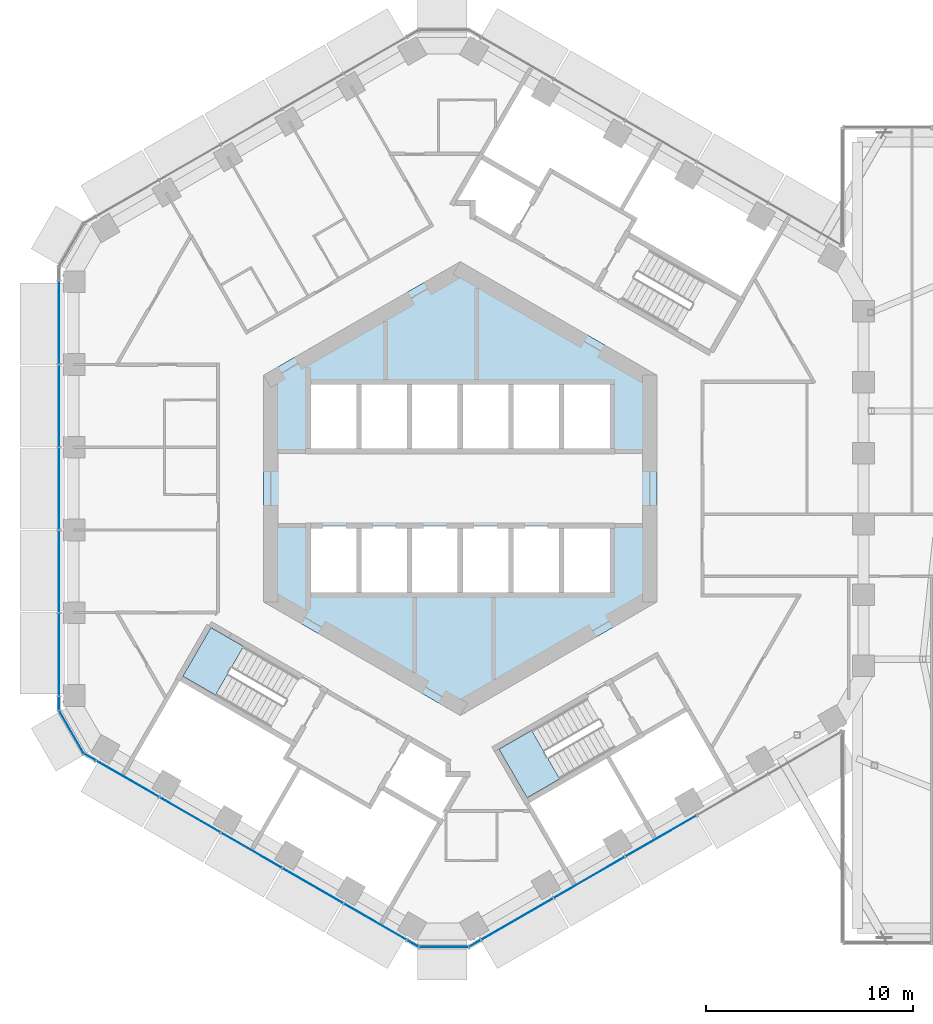
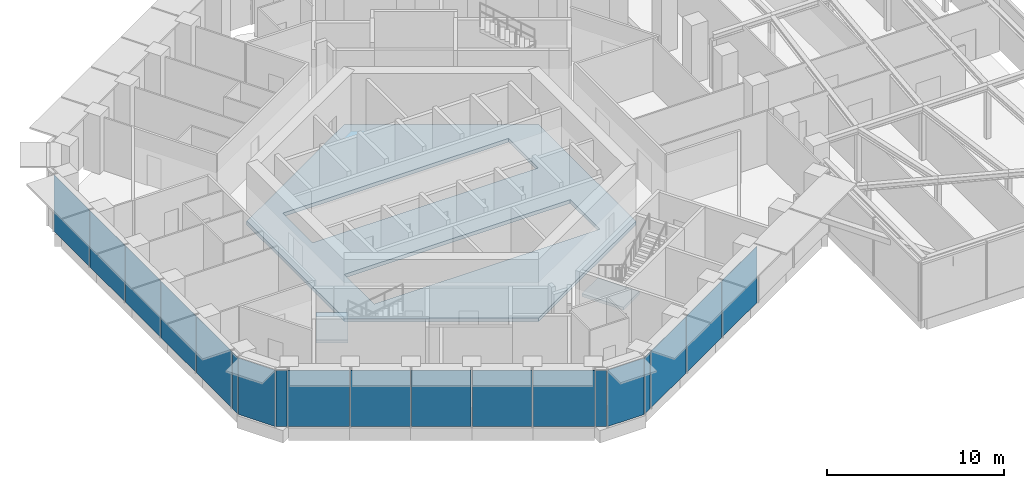
# One storey, part 10 of 24: 19 plates, 3 slabs, 7 elements without a shape of their own.
"""IFC4 building model written with IfcOpenShell, lengths in metres."""

from ifc_helpers import new_model, si_unit, direction, frame, origin, origin_2d, place, context, subcontext, project, spatial, polyline, rectangle, outline, extrude, material, layer, layer_set, type_object, element, aggregate, save


model = new_model("IFC4")

# Units and contexts
model_context = context("Model", 3, precision=1e-05, world=origin(), true_north=direction((0.0, 1.0)))
body_context = subcontext(model_context, "Body", "Model", "MODEL_VIEW")
ifc_project = project(units=[si_unit("LENGTHUNIT", "METRE"), si_unit("AREAUNIT", "SQUARE_METRE"), si_unit("VOLUMEUNIT", "CUBIC_METRE"), si_unit("PLANEANGLEUNIT", "RADIAN"), si_unit("MASSUNIT", "GRAM", prefix="KILO")], contexts=[model_context])

# Site, building, storey
site_placement = place(None, origin())
site = spatial("IfcSite", under=ifc_project, at=site_placement, CompositionType="ELEMENT")
building_placement = place(site_placement, origin())
building = spatial("IfcBuilding", under=site, at=building_placement, Name="Ayvan Gate Tower", CompositionType="ELEMENT")
storey_placement = place(building_placement, frame((0.0, 0.0, 128.5)))
storey = spatial("IfcBuildingStorey", under=building, at=storey_placement, Name="L34", CompositionType="ELEMENT", Elevation=128.5)

# Slab
ifc_material_1 = material(Name="Concrete C40/50", Category="concrete")
ifc_layer_1 = layer(ifc_material_1, 0.25)
ifc_layer_set_1 = layer_set([ifc_layer_1], Name="Concrete C40/50")
slab_type_1 = type_object("IfcSlabType", Name="SL-CORE-250", PredefinedType="FLOOR", material=ifc_layer_set_1)
slab_1_placement = place(storey_placement, frame((0.0, 0.0, -0.25)))
element("IfcSlab", 1, at=slab_1_placement, inside=storey, type_object=slab_type_1, Name="CS-L34", PredefinedType="FLOOR", context=body_context, shape_type="SweptSolid", body=[
    extrude(outline(polyline([(9.5, -5.48486328125), (0.0, -10.9697265625), (-9.5, -5.48486328125), (-9.5, 5.48486328125), (0.0, 10.9697265625), (9.5, 5.48486328125), (9.5, -5.48486328125)]), holes=[polyline([(-7.35009765625, -1.800048828125), (-7.35009765625, -5.14990234375), (7.35009765625, -5.14990234375), (7.35009765625, -1.800048828125), (-7.35009765625, -1.800048828125)]), polyline([(-7.35009765625, 5.14990234375), (-7.35009765625, 1.800048828125), (7.35009765625, 1.800048828125), (7.35009765625, 5.14990234375), (-7.35009765625, 5.14990234375)])]), origin(), (0.0, 0.0, 1.0), 0.25),
])

# Stair, slab
stair_type = type_object("IfcStairType", Name="ST-EXIT", PredefinedType="HALF_TURN_STAIR", material=ifc_material_1)
stair_1_placement = place(storey_placement, origin())
stair_1 = element("IfcStair", 2, at=stair_1_placement, inside=storey, type_object=stair_type, Name="L34 Exit Stair S2", PredefinedType="HALF_TURN_STAIR")
ifc_layer_2 = layer(ifc_material_1, 0.199951171875)
ifc_layer_set_2 = layer_set([ifc_layer_2], Name="Concrete C40/50")
slab_type_2 = type_object("IfcSlabType", Name="SL-LANDING-200", PredefinedType="LANDING", material=ifc_layer_set_2)
slab_2_placement = place(storey_placement, frame((0.0, 0.0, 1.800048828125)))
slab_2 = element("IfcSlab", 3, at=slab_2_placement, type_object=slab_type_2, Name="STS2 landing 1", PredefinedType="LANDING", context=body_context, shape_type="SweptSolid", body=[
    extrude(outline(polyline([(-10.473388671875, -7.630615234375), (-12.049560546875, -6.720458984375), (-13.404541015625, -9.0673828125), (-11.828369140625, -9.9775390625), (-10.473388671875, -7.630615234375)])), origin(), (0.0, 0.0, 1.0), 0.199951171875),
])
aggregate(stair_1, [slab_2])

stair_2_placement = place(storey_placement, origin())
stair_2 = element("IfcStair", 4, at=stair_2_placement, inside=storey, type_object=stair_type, Name="L34 Exit Stair S3", PredefinedType="HALF_TURN_STAIR")
slab_3_placement = place(storey_placement, frame((0.0, 0.0, 1.800048828125)))
slab_3 = element("IfcSlab", 5, at=slab_3_placement, type_object=slab_type_2, Name="STS3 landing 1", PredefinedType="LANDING", context=body_context, shape_type="SweptSolid", body=[
    extrude(outline(polyline([(3.449951171875, -11.685546875), (1.873779296875, -12.595458984375), (3.228759765625, -14.9423828125), (4.804931640625, -14.032470703125), (3.449951171875, -11.685546875)])), origin(), (0.0, 0.0, 1.0), 0.199951171875),
])
aggregate(stair_2, [slab_3])

# Curtain wall, plates
ifc_material_2 = material(Name="Bronze anodised aluminium", Category="aluminium")
ifc_layer_3 = layer(ifc_material_2, 0.199951171875)
ifc_layer_set_3 = layer_set([ifc_layer_3], Name="Bronze anodised aluminium")
curtain_wall_type_1 = type_object("IfcCurtainWallType", Name="Stick curtain wall CW-1", PredefinedType="NOTDEFINED", material=ifc_layer_set_3)
curtain_wall_1_placement = place(storey_placement, origin())
curtain_wall_1 = element("IfcCurtainWall", 6, at=curtain_wall_1_placement, inside=storey, type_object=curtain_wall_type_1, Name="Stick curtain wall CW-1 L34", PredefinedType="NOTDEFINED")
ifc_material_3 = material(Name="Clear low-iron laminated glass", Category="glass")
ifc_layer_4 = layer(ifc_material_3, 0.028076171875)
ifc_layer_set_4 = layer_set([ifc_layer_4], Name="Clear low-iron laminated glass")
plate_type_1 = type_object("IfcPlateType", Name="Stick curtain wall CW-1 glass panel", PredefinedType="CURTAIN_PANEL", material=ifc_layer_set_4)
plate_1_placement = place(storey_placement, frame((-19.39306640625, 8.03271484375, 0.0), z_axis=(0.0, 0.0, 1.0), x_axis=(0.0, -1.0, 0.0)))
plate_1 = element("IfcPlate", 7, at=plate_1_placement, type_object=plate_type_1, Name="CW-1 glass panel 1", PredefinedType="CURTAIN_PANEL", context=body_context, shape_type="SweptSolid", body=[
    extrude(rectangle(XDim=4.010009765625, YDim=0.028076171875, at=origin_2d()), origin(), (0.0, 0.0, 1.0), 3.8798828125),
])
plate_2_placement = place(storey_placement, frame((-19.39306640625, 3.998046875, 0.0), z_axis=(0.0, 0.0, 1.0), x_axis=(0.0, -1.0, 0.0)))
plate_2 = element("IfcPlate", 8, at=plate_2_placement, type_object=plate_type_1, Name="CW-1 glass panel 2", PredefinedType="CURTAIN_PANEL", context=body_context, shape_type="SweptSolid", body=[
    extrude(rectangle(XDim=3.93896484375, YDim=0.028076171875, at=origin_2d()), origin(), (0.0, 0.0, 1.0), 3.8798828125),
])
plate_3_placement = place(storey_placement, frame((-19.39306640625, -0.00048828125, 0.0), z_axis=(0.0, 0.0, 1.0), x_axis=(0.0, -1.0, 0.0)))
plate_3 = element("IfcPlate", 9, at=plate_3_placement, type_object=plate_type_1, Name="CW-1 glass panel 3", PredefinedType="CURTAIN_PANEL", context=body_context, shape_type="SweptSolid", body=[
    extrude(rectangle(XDim=3.93798828125, YDim=0.028076171875, at=origin_2d()), origin(), (0.0, 0.0, 1.0), 3.8798828125),
])
plate_4_placement = place(storey_placement, frame((-19.39306640625, -3.998291015625, 0.0), z_axis=(0.0, 0.0, 1.0), x_axis=(0.0, -1.0, 0.0)))
plate_4 = element("IfcPlate", 10, at=plate_4_placement, type_object=plate_type_1, Name="CW-1 glass panel 4", PredefinedType="CURTAIN_PANEL", context=body_context, shape_type="SweptSolid", body=[
    extrude(rectangle(XDim=3.93798828125, YDim=0.028076171875, at=origin_2d()), origin(), (0.0, 0.0, 1.0), 3.8798828125),
])
plate_5_placement = place(storey_placement, frame((-19.39306640625, -8.032470703125, 0.0), z_axis=(0.0, 0.0, 1.0), x_axis=(0.0, -1.0, 0.0)))
plate_5 = element("IfcPlate", 11, at=plate_5_placement, type_object=plate_type_1, Name="CW-1 glass panel 5", PredefinedType="CURTAIN_PANEL", context=body_context, shape_type="SweptSolid", body=[
    extrude(rectangle(XDim=4.01025390625, YDim=0.028076171875, at=origin_2d()), origin(), (0.0, 0.0, 1.0), 3.8798828125),
])
aggregate(curtain_wall_1, [plate_1, plate_2, plate_3, plate_4, plate_5])

curtain_wall_2_placement = place(storey_placement, origin())
curtain_wall_2 = element("IfcCurtainWall", 12, at=curtain_wall_2_placement, inside=storey, type_object=curtain_wall_type_1, Name="Stick curtain wall CW-1 L34", PredefinedType="NOTDEFINED")
plate_6_placement = place(storey_placement, frame((-16.082275390625, -14.023193359375, 0.0), z_axis=(0.0, 0.0, 1.0), x_axis=(0.866025403784, -0.5, 0.0)))
plate_6 = element("IfcPlate", 13, at=plate_6_placement, type_object=plate_type_1, Name="CW-1 glass panel 1", PredefinedType="CURTAIN_PANEL", context=body_context, shape_type="SweptSolid", body=[
    extrude(rectangle(XDim=3.498046875, YDim=0.028076171875, at=origin_2d()), origin(), (0.0, 0.0, 1.0), 3.8798828125),
])
plate_7_placement = place(storey_placement, frame((-13.05859375, -15.76904296875, 0.0), z_axis=(0.0, 0.0, 1.0), x_axis=(0.866025403784, -0.5, 0.0)))
plate_7 = element("IfcPlate", 14, at=plate_7_placement, type_object=plate_type_1, Name="CW-1 glass panel 2", PredefinedType="CURTAIN_PANEL", context=body_context, shape_type="SweptSolid", body=[
    extrude(rectangle(XDim=3.364990234375, YDim=0.028076171875, at=origin_2d()), origin(), (0.0, 0.0, 1.0), 3.8798828125),
])
plate_8_placement = place(storey_placement, frame((-10.09228515625, -17.4814453125, 0.0), z_axis=(0.0, 0.0, 1.0), x_axis=(0.866025403784, -0.5, 0.0)))
plate_8 = element("IfcPlate", 15, at=plate_8_placement, type_object=plate_type_1, Name="CW-1 glass panel 3", PredefinedType="CURTAIN_PANEL", context=body_context, shape_type="SweptSolid", body=[
    extrude(rectangle(XDim=3.364990234375, YDim=0.028076171875, at=origin_2d()), origin(), (0.0, 0.0, 1.0), 3.8798828125),
])
plate_9_placement = place(storey_placement, frame((-7.126220703125, -19.19384765625, 0.0), z_axis=(0.0, 0.0, 1.0), x_axis=(0.866025403784, -0.5, 0.0)))
plate_9 = element("IfcPlate", 16, at=plate_9_placement, type_object=plate_type_1, Name="CW-1 glass panel 4", PredefinedType="CURTAIN_PANEL", context=body_context, shape_type="SweptSolid", body=[
    extrude(rectangle(XDim=3.364990234375, YDim=0.028076171875, at=origin_2d()), origin(), (0.0, 0.0, 1.0), 3.8798828125),
])
plate_10_placement = place(storey_placement, frame((-4.10302734375, -20.939453125, 0.0), z_axis=(0.0, 0.0, 1.0), x_axis=(0.866025403784, -0.5, 0.0)))
plate_10 = element("IfcPlate", 17, at=plate_10_placement, type_object=plate_type_1, Name="CW-1 glass panel 5", PredefinedType="CURTAIN_PANEL", context=body_context, shape_type="SweptSolid", body=[
    extrude(rectangle(XDim=3.4970703125, YDim=0.028076171875, at=origin_2d()), origin(), (0.0, 0.0, 1.0), 3.8798828125),
])
aggregate(curtain_wall_2, [plate_6, plate_7, plate_8, plate_9, plate_10])

curtain_wall_3_placement = place(storey_placement, origin())
curtain_wall_3 = element("IfcCurtainWall", 18, at=curtain_wall_3_placement, inside=storey, type_object=curtain_wall_type_1, Name="Stick curtain wall CW-1 L34", PredefinedType="NOTDEFINED")
plate_11_placement = place(storey_placement, frame((2.739990234375, -20.811279296875, 0.0), z_axis=(0.0, 0.0, 1.0), x_axis=(0.866025403784, 0.5, 0.0)))
plate_11 = element("IfcPlate", 19, at=plate_11_placement, type_object=plate_type_1, Name="CW-1 glass panel 1", PredefinedType="CURTAIN_PANEL", context=body_context, shape_type="SweptSolid", body=[
    extrude(rectangle(XDim=4.010009765625, YDim=0.028076171875, at=origin_2d()), origin(), (0.0, 0.0, 1.0), 3.8798828125),
])
plate_12_placement = place(storey_placement, frame((6.234130859375, -18.7939453125, 0.0), z_axis=(0.0, 0.0, 1.0), x_axis=(0.866025403784, 0.5, 0.0)))
plate_12 = element("IfcPlate", 20, at=plate_12_placement, type_object=plate_type_1, Name="CW-1 glass panel 2", PredefinedType="CURTAIN_PANEL", context=body_context, shape_type="SweptSolid", body=[
    extrude(rectangle(XDim=3.93896484375, YDim=0.028076171875, at=origin_2d()), origin(), (0.0, 0.0, 1.0), 3.8798828125),
])
plate_13_placement = place(storey_placement, frame((9.69677734375, -16.794677734375, 0.0), z_axis=(0.0, 0.0, 1.0), x_axis=(0.866025403784, 0.5, 0.0)))
plate_13 = element("IfcPlate", 21, at=plate_13_placement, type_object=plate_type_1, Name="CW-1 glass panel 3", PredefinedType="CURTAIN_PANEL", context=body_context, shape_type="SweptSolid", body=[
    extrude(rectangle(XDim=3.93798828125, YDim=0.028076171875, at=origin_2d()), origin(), (0.0, 0.0, 1.0), 3.8798828125),
])
aggregate(curtain_wall_3, [plate_11, plate_12, plate_13])

ifc_layer_5 = layer(ifc_material_2, 0.199951171875)
ifc_layer_set_5 = layer_set([ifc_layer_5], Name="Bronze anodised aluminium")
curtain_wall_type_2 = type_object("IfcCurtainWallType", Name="Stick curtain wall CW-6", PredefinedType="NOTDEFINED", material=ifc_layer_set_5)
curtain_wall_4_placement = place(storey_placement, origin())
curtain_wall_4 = element("IfcCurtainWall", 22, at=curtain_wall_4_placement, inside=storey, type_object=curtain_wall_type_2, Name="Stick curtain wall CW-6 L34", PredefinedType="NOTDEFINED")
ifc_layer_6 = layer(ifc_material_3, 0.028076171875)
ifc_layer_set_6 = layer_set([ifc_layer_6], Name="Clear low-iron laminated glass")
plate_type_2 = type_object("IfcPlateType", Name="Stick curtain wall CW-6 glass panel", PredefinedType="CURTAIN_PANEL", material=ifc_layer_set_6)
plate_14_placement = place(storey_placement, frame((-19.39306640625, -10.380126953125, 0.0), z_axis=(0.0, 0.0, 1.0), x_axis=(0.0, -1.0, 0.0)))
plate_14 = element("IfcPlate", 23, at=plate_14_placement, type_object=plate_type_2, Name="CW-6 glass panel 1", PredefinedType="CURTAIN_PANEL", context=body_context, shape_type="SweptSolid", body=[
    extrude(rectangle(XDim=0.625, YDim=0.028076171875, at=origin_2d()), origin(), (0.0, 0.0, 1.0), 3.8798828125),
])
plate_15_placement = place(storey_placement, frame((-18.78955078125, -11.76318359375, 0.0), z_axis=(0.0, 0.0, 1.0), x_axis=(0.5, -0.866025403784, 0.0)))
plate_15 = element("IfcPlate", 24, at=plate_15_placement, type_object=plate_type_2, Name="CW-6 glass panel 2", PredefinedType="CURTAIN_PANEL", context=body_context, shape_type="SweptSolid", body=[
    extrude(rectangle(XDim=2.364501953125, YDim=0.028076171875, at=origin_2d()), origin(), (0.0, 0.0, 1.0), 3.8798828125),
])
plate_16_placement = place(storey_placement, frame((-17.8935546875, -12.9775390625, 0.0), z_axis=(0.0, 0.0, 1.0), x_axis=(0.866025403784, -0.5, 0.0)))
plate_16 = element("IfcPlate", 25, at=plate_16_placement, type_object=plate_type_2, Name="CW-6 glass panel 3", PredefinedType="CURTAIN_PANEL", context=body_context, shape_type="SweptSolid", body=[
    extrude(rectangle(XDim=0.625, YDim=0.028076171875, at=origin_2d()), origin(), (0.0, 0.0, 1.0), 3.8798828125),
])
aggregate(curtain_wall_4, [plate_14, plate_15, plate_16])

curtain_wall_5_placement = place(storey_placement, origin())
curtain_wall_5 = element("IfcCurtainWall", 26, at=curtain_wall_5_placement, inside=storey, type_object=curtain_wall_type_2, Name="Stick curtain wall CW-6 L34", PredefinedType="NOTDEFINED")
plate_17_placement = place(storey_placement, frame((-2.2919921875, -21.985107421875, 0.0), z_axis=(0.0, 0.0, 1.0), x_axis=(0.866025403784, -0.5, 0.0)))
plate_17 = element("IfcPlate", 27, at=plate_17_placement, type_object=plate_type_2, Name="CW-6 glass panel 1", PredefinedType="CURTAIN_PANEL", context=body_context, shape_type="SweptSolid", body=[
    extrude(rectangle(XDim=0.625, YDim=0.028076171875, at=origin_2d()), origin(), (0.0, 0.0, 1.0), 3.8798828125),
])
plate_18_placement = place(storey_placement, frame((-0.79248046875, -22.15380859375, 0.0), z_axis=(0.0, 0.0, 1.0), x_axis=(1.0, 0.0, 0.0)))
plate_18 = element("IfcPlate", 28, at=plate_18_placement, type_object=plate_type_2, Name="CW-6 glass panel 2", PredefinedType="CURTAIN_PANEL", context=body_context, shape_type="SweptSolid", body=[
    extrude(rectangle(XDim=2.364501953125, YDim=0.028076171875, at=origin_2d()), origin(), (0.0, 0.0, 1.0), 3.8798828125),
])
plate_19_placement = place(storey_placement, frame((0.70703125, -21.985107421875, 0.0), z_axis=(0.0, 0.0, 1.0), x_axis=(0.866025403784, 0.5, 0.0)))
plate_19 = element("IfcPlate", 29, at=plate_19_placement, type_object=plate_type_2, Name="CW-6 glass panel 3", PredefinedType="CURTAIN_PANEL", context=body_context, shape_type="SweptSolid", body=[
    extrude(rectangle(XDim=0.625, YDim=0.028076171875, at=origin_2d()), origin(), (0.0, 0.0, 1.0), 3.8798828125),
])
aggregate(curtain_wall_5, [plate_17, plate_18, plate_19])

save(model, "model.ifc")
